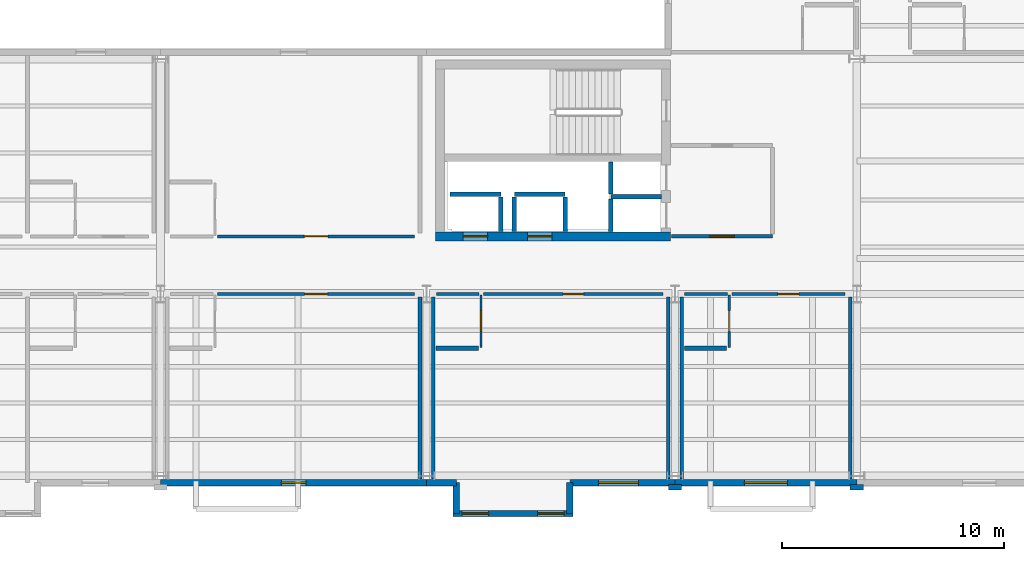
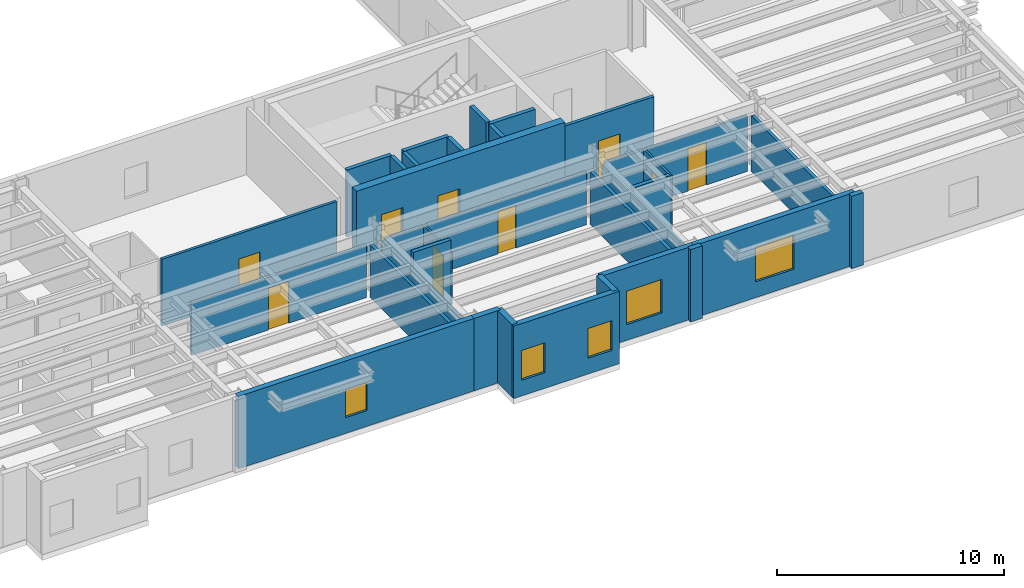
# One storey, part 47 of 59: 34 walls, 9 doors, 5 windows, 14 openings.
"""IFC4 building model written with IfcOpenShell, lengths in metres."""

from ifc_helpers import new_model, si_unit, direction, frame, frame_2d, origin, place, context, subcontext, project, spatial, rectangle, extrude, material, layer, layer_set, type_object, element, fill, save


model = new_model("IFC4")

# Units and contexts
model_context = context("Model", 3, precision=1e-05, world=origin(), true_north=direction((0.0, 1.0)))
body_context = subcontext(model_context, "Body", "Model", "MODEL_VIEW")
ifc_project = project(units=[si_unit("LENGTHUNIT", "METRE"), si_unit("AREAUNIT", "SQUARE_METRE"), si_unit("VOLUMEUNIT", "CUBIC_METRE"), si_unit("PLANEANGLEUNIT", "RADIAN"), si_unit("MASSUNIT", "GRAM", prefix="KILO")], contexts=[model_context])

# Site, building, storey
site_placement = place(None, origin())
site = spatial("IfcSite", under=ifc_project, at=site_placement, CompositionType="ELEMENT")
building_placement = place(site_placement, origin())
building = spatial("IfcBuilding", under=site, at=building_placement, Name="Sollismere Congress Hotel", CompositionType="ELEMENT")
storey_placement = place(building_placement, frame((0.0, 0.0, 15.60009765625)))
storey = spatial("IfcBuildingStorey", under=building, at=storey_placement, Name="L03", CompositionType="ELEMENT", Elevation=15.60009765625)

# Wall, opening, window
ifc_material_1 = material(Name="Colorado Buff Sandstone Rainscreen on Insulated Backup", Category="masonry")
ifc_layer_1 = layer(ifc_material_1, 0.284912109375, Name="Colorado Buff Sandstone Rainscreen on Insulated Backup")
ifc_layer_set_1 = layer_set([ifc_layer_1], Name="Colorado Buff Sandstone Rainscreen on Insulated Backup")
wall_type_1 = type_object("IfcWallType", Name="WL-EXT285", PredefinedType="STANDARD", material=ifc_layer_set_1)
wall_1_placement = place(storey_placement, frame((124.0, -0.31005859375, 0.0), z_axis=(0.0, 0.0, 1.0), x_axis=(1.0, 0.0, 0.0)))
wall_1 = element("IfcWall", 1, at=wall_1_placement, inside=storey, type_object=wall_type_1, Name="Exterior wall EW-L03-422", PredefinedType="STANDARD", context=body_context, shape_type="SweptSolid", body=[
    extrude(rectangle(XDim=12.0, YDim=0.284912109375, at=frame_2d((6.0, 0.0))), origin(), (0.0, 0.0, 1.0), 3.89990234375),
])
opening_1_placement = place(wall_1_placement, frame((5.449951171875, 0.0, 0.85009765625)))
opening_1 = element("IfcOpeningElement", 2, at=opening_1_placement, cuts=wall_1, Name="Opening W-L03-331", PredefinedType="OPENING", context=body_context, shape_type="SweptSolid", body=[
    extrude(rectangle(XDim=1.10009765625, YDim=1.5, at=frame_2d((0.550048828125, 0.75))), frame((0.0, 0.15234375, 0.0), z_axis=(0.0, -1.0, 0.0), x_axis=(1.0, 0.0, 0.0)), (0.0, 0.0, 1.0), 0.304931640625),
])
ifc_material_2 = material(Name="Thermally Broken Bronze Aluminum & Low-E Glass", Category="aluminium")
window_type_1 = type_object("IfcWindowType", Name="WN-P110x150", PartitioningType="SINGLE_PANEL", PredefinedType="WINDOW", material=ifc_material_2)
window_1_placement = place(opening_1_placement, origin())
window_1 = element("IfcWindow", 3, at=window_1_placement, inside=storey, type_object=window_type_1, Name="WIN-W-L03-331", OverallHeight=1.5, OverallWidth=1.10009765625, PartitioningType="SINGLE_PANEL", PredefinedType="WINDOW", context=body_context, shape_type="SweptSolid", body=[
    extrude(rectangle(XDim=1.10009765625, YDim=1.5, at=frame_2d((0.550048828125, 0.75))), frame((0.0, 0.030029296875, 0.0), z_axis=(0.0, -1.0, 0.0), x_axis=(1.0, 0.0, 0.0)), (0.0, 0.0, 1.0), 0.06005859375),
])
fill(opening_1, window_1)

# Wall
wall_2_placement = place(storey_placement, frame((136.0, -0.31005859375, 0.0), z_axis=(0.0, 0.0, 1.0), x_axis=(1.0, 0.0, 0.0)))
element("IfcWall", 4, at=wall_2_placement, inside=storey, type_object=wall_type_1, Name="Exterior wall EW-L03-424", PredefinedType="STANDARD", context=body_context, shape_type="SweptSolid", body=[
    extrude(rectangle(XDim=1.340087890625, YDim=0.284912109375, at=frame_2d((0.669921875, 0.0))), origin(), (0.0, 0.0, 1.0), 3.89990234375),
])

# Wall, opening, window
wall_3_placement = place(storey_placement, frame((142.4599609375, -0.31005859375, 0.0), z_axis=(0.0, 0.0, 1.0), x_axis=(1.0, 0.0, 0.0)))
wall_3 = element("IfcWall", 5, at=wall_3_placement, inside=storey, type_object=wall_type_1, Name="Exterior wall EW-L03-425", PredefinedType="STANDARD", context=body_context, shape_type="SweptSolid", body=[
    extrude(rectangle(XDim=4.739990234375, YDim=0.284912109375, at=frame_2d((2.3701171875, 0.0))), origin(), (0.0, 0.0, 1.0), 3.89990234375),
])
opening_2_placement = place(wall_3_placement, frame((1.294921875, 0.0, 0.85009765625)))
opening_2 = element("IfcOpeningElement", 6, at=opening_2_placement, cuts=wall_3, Name="Opening W-L03-332", PredefinedType="OPENING", context=body_context, shape_type="SweptSolid", body=[
    extrude(rectangle(XDim=1.800048828125, YDim=1.800048828125, at=frame_2d((0.89990234375, 0.89990234375))), frame((0.0, 0.15234375, 0.0), z_axis=(0.0, -1.0, 0.0), x_axis=(1.0, 0.0, 0.0)), (0.0, 0.0, 1.0), 0.304931640625),
])
window_type_2 = type_object("IfcWindowType", Name="WN-P180x180", PartitioningType="SINGLE_PANEL", PredefinedType="WINDOW", material=ifc_material_2)
window_2_placement = place(opening_2_placement, origin())
window_2 = element("IfcWindow", 7, at=window_2_placement, inside=storey, type_object=window_type_2, Name="WIN-W-L03-332", OverallHeight=1.800048828125, OverallWidth=1.800048828125, PartitioningType="SINGLE_PANEL", PredefinedType="WINDOW", context=body_context, shape_type="SweptSolid", body=[
    extrude(rectangle(XDim=1.800048828125, YDim=1.800048828125, at=frame_2d((0.89990234375, 0.89990234375))), frame((0.0, 0.030029296875, 0.0), z_axis=(0.0, -1.0, 0.0), x_axis=(1.0, 0.0, 0.0)), (0.0, 0.0, 1.0), 0.06005859375),
])
fill(opening_2, window_2)

# Wall, openings, windows
wall_4_placement = place(storey_placement, frame((137.199951171875, -1.699951171875, 0.0), z_axis=(0.0, 0.0, 1.0), x_axis=(1.0, 0.0, 0.0)))
wall_4 = element("IfcWall", 8, at=wall_4_placement, inside=storey, type_object=wall_type_1, Name="Exterior wall EW-L03-426", PredefinedType="STANDARD", context=body_context, shape_type="SweptSolid", body=[
    extrude(rectangle(XDim=5.400146484375, YDim=0.284912109375, at=frame_2d((2.7001953125, 0.0))), origin(), (0.0, 0.0, 1.0), 3.89990234375),
])
opening_3_placement = place(wall_4_placement, frame((0.39990234375, 0.0, 0.85009765625)))
opening_3 = element("IfcOpeningElement", 9, at=opening_3_placement, cuts=wall_4, Name="Opening W-L03-333", PredefinedType="OPENING", context=body_context, shape_type="SweptSolid", body=[
    extrude(rectangle(XDim=1.199951171875, YDim=1.60009765625, at=frame_2d((0.60009765625, 0.800048828125))), frame((0.0, 0.15234375, 0.0), z_axis=(0.0, -1.0, 0.0), x_axis=(1.0, 0.0, 0.0)), (0.0, 0.0, 1.0), 0.304931640625),
])
opening_4_placement = place(wall_4_placement, frame((3.800048828125, 0.0, 0.85009765625)))
opening_4 = element("IfcOpeningElement", 10, at=opening_4_placement, cuts=wall_4, Name="Opening W-L03-334", PredefinedType="OPENING", context=body_context, shape_type="SweptSolid", body=[
    extrude(rectangle(XDim=1.199951171875, YDim=1.60009765625, at=frame_2d((0.60009765625, 0.800048828125))), frame((0.0, 0.15234375, 0.0), z_axis=(0.0, -1.0, 0.0), x_axis=(1.0, 0.0, 0.0)), (0.0, 0.0, 1.0), 0.304931640625),
])
window_type_3 = type_object("IfcWindowType", Name="WN-P120x160", PartitioningType="SINGLE_PANEL", PredefinedType="WINDOW", material=ifc_material_2)
window_3_placement = place(opening_3_placement, origin())
window_3 = element("IfcWindow", 11, at=window_3_placement, inside=storey, type_object=window_type_3, Name="WIN-W-L03-333", OverallHeight=1.60009765625, OverallWidth=1.199951171875, PartitioningType="SINGLE_PANEL", PredefinedType="WINDOW", context=body_context, shape_type="SweptSolid", body=[
    extrude(rectangle(XDim=1.199951171875, YDim=1.60009765625, at=frame_2d((0.60009765625, 0.800048828125))), frame((0.0, 0.030029296875, 0.0), z_axis=(0.0, -1.0, 0.0), x_axis=(1.0, 0.0, 0.0)), (0.0, 0.0, 1.0), 0.06005859375),
])
fill(opening_3, window_3)
window_4_placement = place(opening_4_placement, origin())
window_4 = element("IfcWindow", 12, at=window_4_placement, inside=storey, type_object=window_type_3, Name="WIN-W-L03-334", OverallHeight=1.60009765625, OverallWidth=1.199951171875, PartitioningType="SINGLE_PANEL", PredefinedType="WINDOW", context=body_context, shape_type="SweptSolid", body=[
    extrude(rectangle(XDim=1.199951171875, YDim=1.60009765625, at=frame_2d((0.60009765625, 0.800048828125))), frame((0.0, 0.030029296875, 0.0), z_axis=(0.0, -1.0, 0.0), x_axis=(1.0, 0.0, 0.0)), (0.0, 0.0, 1.0), 0.06005859375),
])
fill(opening_4, window_4)

# Walls
for number, where, z_axis, x_axis, name in (
    (13, (137.340087890625, -0.31005859375, 0.0), (0.0, 0.0, 1.0), (0.0, -1.0, 0.0), "Exterior wall EW-L03-427"),
    (14, (142.4599609375, -1.699951171875, 0.0), (0.0, 0.0, 1.0), (0.0, 1.0, 0.0), "Exterior wall EW-L03-428"),
):
    element("IfcWall", number, at=place(storey_placement, frame(where, z_axis=z_axis, x_axis=x_axis)), inside=storey, type_object=wall_type_1, Name=name, PredefinedType="STANDARD", context=body_context, shape_type="SweptSolid", body=[
        extrude(rectangle(XDim=1.389892578125, YDim=0.284912109375, at=frame_2d((0.69482421875, 0.0))), origin(), (0.0, 0.0, 1.0), 3.89990234375),
    ])

# Wall, opening, window
wall_5_placement = place(storey_placement, frame((147.199951171875, -0.31005859375, 0.0), z_axis=(0.0, 0.0, 1.0), x_axis=(1.0, 0.0, 0.0)))
wall_5 = element("IfcWall", 15, at=wall_5_placement, inside=storey, type_object=wall_type_1, Name="Exterior wall EW-L03-429", PredefinedType="STANDARD", context=body_context, shape_type="SweptSolid", body=[
    extrude(rectangle(XDim=8.199951171875, YDim=0.284912109375, at=frame_2d((4.10009765625, 0.0))), origin(), (0.0, 0.0, 1.0), 3.89990234375),
])
opening_5_placement = place(wall_5_placement, frame((3.125, 0.0, 0.85009765625)))
opening_5 = element("IfcOpeningElement", 16, at=opening_5_placement, cuts=wall_5, Name="Opening W-L03-335", PredefinedType="OPENING", context=body_context, shape_type="SweptSolid", body=[
    extrude(rectangle(XDim=1.949951171875, YDim=1.85009765625, at=frame_2d((0.97509765625, 0.925048828125))), frame((0.0, 0.15234375, 0.0), z_axis=(0.0, -1.0, 0.0), x_axis=(1.0, 0.0, 0.0)), (0.0, 0.0, 1.0), 0.304931640625),
])
window_type_4 = type_object("IfcWindowType", Name="WN-P195x185", PartitioningType="SINGLE_PANEL", PredefinedType="WINDOW", material=ifc_material_2)
window_5_placement = place(opening_5_placement, origin())
window_5 = element("IfcWindow", 17, at=window_5_placement, inside=storey, type_object=window_type_4, Name="WIN-W-L03-335", OverallHeight=1.85009765625, OverallWidth=1.949951171875, PartitioningType="SINGLE_PANEL", PredefinedType="WINDOW", context=body_context, shape_type="SweptSolid", body=[
    extrude(rectangle(XDim=1.949951171875, YDim=1.85009765625, at=frame_2d((0.97509765625, 0.925048828125))), frame((0.0, 0.030029296875, 0.0), z_axis=(0.0, -1.0, 0.0), x_axis=(1.0, 0.0, 0.0)), (0.0, 0.0, 1.0), 0.06005859375),
])
fill(opening_5, window_5)

# Walls
ifc_material_3 = material(Name="Carved Travertine Pilaster & Frieze Assembly", Category="masonry")
ifc_layer_2 = layer(ifc_material_3, 0.260009765625, Name="Carved Travertine Pilaster & Frieze Assembly")
ifc_layer_set_2 = layer_set([ifc_layer_2], Name="Carved Travertine Pilaster & Frieze Assembly")
wall_type_2 = type_object("IfcWallType", Name="WL-PIL280", PredefinedType="ELEMENTEDWALL", material=ifc_layer_set_2)
wall_6_placement = place(storey_placement, frame((146.89990234375, -0.52001953125, 0.0), z_axis=(0.0, 0.0, 1.0), x_axis=(1.0, 0.0, 0.0)))
element("IfcWall", 18, at=wall_6_placement, inside=storey, type_object=wall_type_2, Name="Exterior wall EW-L03-430", PredefinedType="ELEMENTEDWALL", context=body_context, shape_type="SweptSolid", body=[
    extrude(rectangle(XDim=0.60009765625, YDim=0.260009765625, at=frame_2d((0.300048828125, 0.0))), origin(), (0.0, 0.0, 1.0), 3.89990234375),
])
wall_7_placement = place(storey_placement, frame((155.10009765625, -0.52001953125, 0.0), z_axis=(0.0, 0.0, 1.0), x_axis=(1.0, 0.0, 0.0)))
element("IfcWall", 19, at=wall_7_placement, inside=storey, type_object=wall_type_2, Name="Exterior wall EW-L03-432", PredefinedType="ELEMENTEDWALL", context=body_context, shape_type="SweptSolid", body=[
    extrude(rectangle(XDim=0.599853515625, YDim=0.260009765625, at=frame_2d((0.2998046875, 0.0))), origin(), (0.0, 0.0, 1.0), 3.89990234375),
])
ifc_material_4 = material(Name="Moisture-Resistant Shaft Gypsum Assembly")
ifc_layer_3 = layer(ifc_material_4, 0.199951171875, Name="Moisture-Resistant Shaft Gypsum Assembly")
ifc_layer_set_3 = layer_set([ifc_layer_3], Name="Moisture-Resistant Shaft Gypsum Assembly")
wall_type_3 = type_object("IfcWallType", Name="WL-PLM200", PredefinedType="PLUMBINGWALL", material=ifc_layer_set_3)
wall_8_placement = place(storey_placement, frame((137.054931640625, 12.68994140625, 0.0), z_axis=(0.0, 0.0, 1.0), x_axis=(1.0, 0.0, 0.0)))
element("IfcWall", 20, at=wall_8_placement, inside=storey, type_object=wall_type_3, Name="Interior wall IW-L03-0070", PredefinedType="PLUMBINGWALL", context=body_context, shape_type="SweptSolid", body=[
    extrude(rectangle(XDim=2.2900390625, YDim=0.199951171875, at=frame_2d((1.14501953125, 0.0))), origin(), (0.0, 0.0, 1.0), 3.599853515625),
])
wall_9_placement = place(storey_placement, frame((139.344970703125, 11.011962890625, 0.0), z_axis=(0.0, 0.0, 1.0), x_axis=(0.0, 1.0, 0.0)))
element("IfcWall", 21, at=wall_9_placement, inside=storey, type_object=wall_type_3, Name="Interior wall IW-L03-0071", PredefinedType="PLUMBINGWALL", context=body_context, shape_type="SweptSolid", body=[
    extrude(rectangle(XDim=1.56591796875, YDim=0.199951171875, at=frame_2d((0.782958984375, 0.0))), origin(), (0.0, 0.0, 1.0), 3.599853515625),
])
wall_10_placement = place(storey_placement, frame((139.955078125, 12.68994140625, 0.0), z_axis=(0.0, 0.0, 1.0), x_axis=(1.0, 0.0, 0.0)))
element("IfcWall", 22, at=wall_10_placement, inside=storey, type_object=wall_type_3, Name="Interior wall IW-L03-0072", PredefinedType="PLUMBINGWALL", context=body_context, shape_type="SweptSolid", body=[
    extrude(rectangle(XDim=2.2900390625, YDim=0.199951171875, at=frame_2d((1.14501953125, 0.0))), origin(), (0.0, 0.0, 1.0), 3.599853515625),
])
for number, where, z_axis, x_axis, name in (
    (23, (139.955078125, 11.011962890625, 0.0), (0.0, 0.0, 1.0), (0.0, 1.0, 0.0), "Interior wall IW-L03-0073"),
    (24, (142.2451171875, 11.011962890625, 0.0), (0.0, 0.0, 1.0), (0.0, 1.0, 0.0), "Interior wall IW-L03-0074"),
):
    element("IfcWall", number, at=place(storey_placement, frame(where, z_axis=z_axis, x_axis=x_axis)), inside=storey, type_object=wall_type_3, Name=name, PredefinedType="PLUMBINGWALL", context=body_context, shape_type="SweptSolid", body=[
        extrude(rectangle(XDim=1.56591796875, YDim=0.199951171875, at=frame_2d((0.782958984375, 0.0))), origin(), (0.0, 0.0, 1.0), 3.599853515625),
    ])
wall_11_placement = place(storey_placement, frame((144.31005859375, 12.594970703125, 0.0), z_axis=(0.0, 0.0, 1.0), x_axis=(1.0, 0.0, 0.0)))
element("IfcWall", 25, at=wall_11_placement, inside=storey, type_object=wall_type_3, Name="Interior wall IW-L03-0075", PredefinedType="PLUMBINGWALL", context=body_context, shape_type="SweptSolid", body=[
    extrude(rectangle(XDim=2.27783203125, YDim=0.199951171875, at=frame_2d((1.138916015625, 0.0))), origin(), (0.0, 0.0, 1.0), 3.599853515625),
])
wall_12_placement = place(storey_placement, frame((144.31005859375, 11.011962890625, 0.0), z_axis=(0.0, 0.0, 1.0), x_axis=(0.0, 1.0, 0.0)))
element("IfcWall", 26, at=wall_12_placement, inside=storey, type_object=wall_type_3, Name="Interior wall IW-L03-0076", PredefinedType="PLUMBINGWALL", context=body_context, shape_type="SweptSolid", body=[
    extrude(rectangle(XDim=1.470947265625, YDim=0.199951171875, at=frame_2d((0.7353515625, 0.0))), origin(), (0.0, 0.0, 1.0), 3.599853515625),
])
wall_13_placement = place(storey_placement, frame((144.31005859375, 12.70703125, 0.0), z_axis=(0.0, 0.0, 1.0), x_axis=(0.0, 1.0, 0.0)))
element("IfcWall", 27, at=wall_13_placement, inside=storey, type_object=wall_type_3, Name="Interior wall IW-L03-0077", PredefinedType="PLUMBINGWALL", context=body_context, shape_type="SweptSolid", body=[
    extrude(rectangle(XDim=1.4560546875, YDim=0.199951171875, at=frame_2d((0.72802734375, 0.0))), origin(), (0.0, 0.0, 1.0), 3.599853515625),
])
wall_14_placement = place(storey_placement, frame((136.419921875, 5.75, 0.0), z_axis=(0.0, 0.0, 1.0), x_axis=(1.0, 0.0, 0.0)))
element("IfcWall", 28, at=wall_14_placement, inside=storey, type_object=wall_type_3, Name="Interior wall IW-L03-1364", PredefinedType="PLUMBINGWALL", context=body_context, shape_type="SweptSolid", body=[
    extrude(rectangle(XDim=1.91015625, YDim=0.199951171875, at=frame_2d((0.955078125, 0.0))), origin(), (0.0, 0.0, 1.0), 3.599853515625),
])
wall_15_placement = place(storey_placement, frame((147.6201171875, 5.75, 0.0), z_axis=(0.0, 0.0, 1.0), x_axis=(1.0, 0.0, 0.0)))
element("IfcWall", 29, at=wall_15_placement, inside=storey, type_object=wall_type_3, Name="Interior wall IW-L03-1370", PredefinedType="PLUMBINGWALL", context=body_context, shape_type="SweptSolid", body=[
    extrude(rectangle(XDim=1.909912109375, YDim=0.199951171875, at=frame_2d((0.955078125, 0.0))), origin(), (0.0, 0.0, 1.0), 3.15283203125),
])

# Wall, opening, door
ifc_material_5 = material(Name="Moisture-Resistant Gypsum Partition")
ifc_layer_4 = layer(ifc_material_5, 0.10009765625, Name="Moisture-Resistant Gypsum Partition")
ifc_layer_set_4 = layer_set([ifc_layer_4], Name="Moisture-Resistant Gypsum Partition")
wall_type_4 = type_object("IfcWallType", Name="WL-PRT100", PredefinedType="PARTITIONING", material=ifc_layer_set_4)
wall_16_placement = place(storey_placement, frame((138.449951171875, 5.7900390625, 0.0), z_axis=(0.0, 0.0, 1.0), x_axis=(0.0, 1.0, 0.0)))
wall_16 = element("IfcWall", 30, at=wall_16_placement, inside=storey, type_object=wall_type_4, Name="Interior wall IW-L03-1363", PredefinedType="PARTITIONING", context=body_context, shape_type="SweptSolid", body=[
    extrude(rectangle(XDim=2.369873046875, YDim=0.10009765625, at=frame_2d((1.18505859375, 0.0))), origin(), (0.0, 0.0, 1.0), 2.837890625),
])
opening_6_placement = place(wall_16_placement, frame((0.719970703125, 0.0, 0.0)))
opening_6 = element("IfcOpeningElement", 31, at=opening_6_placement, cuts=wall_16, Name="Opening D-L03-0482", PredefinedType="OPENING", context=body_context, shape_type="SweptSolid", body=[
    extrude(rectangle(XDim=0.929931640625, YDim=2.219970703125, at=frame_2d((0.46484375, 1.10986328125))), frame((0.0, 0.06005859375, 0.0), z_axis=(0.0, -1.0, 0.0), x_axis=(1.0, 0.0, 0.0)), (0.0, 0.0, 1.0), 0.1201171875),
])
ifc_material_6 = material(Name="Moisture-Sealed Timber Bathroom Door", Category="wood")
door_type_1 = type_object("IfcDoorType", Name="DR-BT07", OperationType="NOTDEFINED", PredefinedType="DOOR", material=ifc_material_6)
door_1_placement = place(opening_6_placement, origin())
door_1 = element("IfcDoor", 32, at=door_1_placement, inside=storey, type_object=door_type_1, Name="En-suite bathroom door D-L03-0482", OperationType="SINGLE_SWING_LEFT", OverallHeight=2.219970703125, OverallWidth=0.929931640625, PredefinedType="DOOR", context=body_context, shape_type="SweptSolid", body=[
    extrude(rectangle(XDim=0.929931640625, YDim=2.219970703125, at=frame_2d((0.46484375, 1.10986328125))), frame((0.0, 0.02490234375, 0.0), z_axis=(0.0, -1.0, 0.0), x_axis=(1.0, 0.0, 0.0)), (0.0, 0.0, 1.0), 0.050048828125),
])
fill(opening_6, door_1)

wall_17_placement = place(storey_placement, frame((149.64990234375, 5.7900390625, 0.0), z_axis=(0.0, 0.0, 1.0), x_axis=(0.0, 1.0, 0.0)))
wall_17 = element("IfcWall", 33, at=wall_17_placement, inside=storey, type_object=wall_type_4, Name="Interior wall IW-L03-1369", PredefinedType="PARTITIONING", context=body_context, shape_type="SweptSolid", body=[
    extrude(rectangle(XDim=2.369873046875, YDim=0.10009765625, at=frame_2d((1.18505859375, 0.0))), origin(), (0.0, 0.0, 1.0), 3.012939453125),
])
opening_7_placement = place(wall_17_placement, frame((0.7080078125, 0.0, 0.0)))
opening_7 = element("IfcOpeningElement", 34, at=opening_7_placement, cuts=wall_17, Name="Opening D-L03-0484", PredefinedType="OPENING", context=body_context, shape_type="SweptSolid", body=[
    extrude(rectangle(XDim=0.955078125, YDim=2.219970703125, at=frame_2d((0.4775390625, 1.10986328125))), frame((0.0, 0.06005859375, 0.0), z_axis=(0.0, -1.0, 0.0), x_axis=(1.0, 0.0, 0.0)), (0.0, 0.0, 1.0), 0.1201171875),
])
door_type_2 = type_object("IfcDoorType", Name="DR-BT08", OperationType="NOTDEFINED", PredefinedType="DOOR", material=ifc_material_6)
door_2_placement = place(opening_7_placement, origin())
door_2 = element("IfcDoor", 35, at=door_2_placement, inside=storey, type_object=door_type_2, Name="En-suite bathroom door D-L03-0484", OperationType="SINGLE_SWING_LEFT", OverallHeight=2.219970703125, OverallWidth=0.955078125, PredefinedType="DOOR", context=body_context, shape_type="SweptSolid", body=[
    extrude(rectangle(XDim=0.955078125, YDim=2.219970703125, at=frame_2d((0.4775390625, 1.10986328125))), frame((0.0, 0.02490234375, 0.0), z_axis=(0.0, -1.0, 0.0), x_axis=(1.0, 0.0, 0.0)), (0.0, 0.0, 1.0), 0.050048828125),
])
fill(opening_7, door_2)

ifc_material_7 = material(Name="Fire-Rated Gypsum Partition")
ifc_layer_5 = layer(ifc_material_7, 0.139892578125, Name="Fire-Rated Gypsum Partition")
ifc_layer_set_5 = layer_set([ifc_layer_5], Name="Fire-Rated Gypsum Partition")
wall_type_5 = type_object("IfcWallType", Name="WL-PRT140R", PredefinedType="PARTITIONING", material=ifc_layer_set_5)
wall_18_placement = place(storey_placement, frame((126.570068359375, 8.199951171875, 0.0), z_axis=(0.0, 0.0, 1.0), x_axis=(1.0, 0.0, 0.0)))
wall_18 = element("IfcWall", 36, at=wall_18_placement, inside=storey, type_object=wall_type_5, Name="Interior wall IW-L03-1348", PredefinedType="PARTITIONING", context=body_context, shape_type="SweptSolid", body=[
    extrude(rectangle(XDim=8.889892578125, YDim=0.139892578125, at=frame_2d((4.44482421875, 0.0))), origin(), (0.0, 0.0, 1.0), 2.837890625),
])
opening_8_placement = place(wall_18_placement, frame((3.925048828125, 0.0, 0.0)))
opening_8 = element("IfcOpeningElement", 37, at=opening_8_placement, cuts=wall_18, Name="Opening D-L03-0477", PredefinedType="OPENING", context=body_context, shape_type="SweptSolid", body=[
    extrude(rectangle(XDim=1.0400390625, YDim=2.25, at=frame_2d((0.52001953125, 1.125))), frame((0.0, 0.079833984375, 0.0), z_axis=(0.0, -1.0, 0.0), x_axis=(1.0, 0.0, 0.0)), (0.0, 0.0, 1.0), 0.159912109375),
])
ifc_material_8 = material(Name="Solid-Core Acoustic Walnut Guestroom Entry Door")
door_type_3 = type_object("IfcDoorType", Name="DR-KY05", OperationType="NOTDEFINED", PredefinedType="DOOR", material=ifc_material_8)
door_3_placement = place(opening_8_placement, origin())
door_3 = element("IfcDoor", 38, at=door_3_placement, inside=storey, type_object=door_type_3, Name="Hotel room entry door D-L03-0477", OperationType="SINGLE_SWING_RIGHT", OverallHeight=2.25, OverallWidth=1.0400390625, PredefinedType="DOOR", context=body_context, shape_type="SweptSolid", body=[
    extrude(rectangle(XDim=1.0400390625, YDim=2.25, at=frame_2d((0.52001953125, 1.125))), frame((0.0, 0.02490234375, 0.0), z_axis=(0.0, -1.0, 0.0), x_axis=(1.0, 0.0, 0.0)), (0.0, 0.0, 1.0), 0.050048828125),
])
fill(opening_8, door_3)

wall_19_placement = place(storey_placement, frame((126.570068359375, 10.800048828125, 0.0), z_axis=(0.0, 0.0, 1.0), x_axis=(1.0, 0.0, 0.0)))
wall_19 = element("IfcWall", 39, at=wall_19_placement, inside=storey, type_object=wall_type_5, Name="Interior wall IW-L03-1354", PredefinedType="PARTITIONING", context=body_context, shape_type="SweptSolid", body=[
    extrude(rectangle(XDim=8.889892578125, YDim=0.139892578125, at=frame_2d((4.44482421875, 0.0))), origin(), (0.0, 0.0, 1.0), 3.599853515625),
])
opening_9_placement = place(wall_19_placement, frame((3.909912109375, 0.0, 0.0)))
opening_9 = element("IfcOpeningElement", 40, at=opening_9_placement, cuts=wall_19, Name="Opening D-L03-0479", PredefinedType="OPENING", context=body_context, shape_type="SweptSolid", body=[
    extrude(rectangle(XDim=1.070068359375, YDim=2.25, at=frame_2d((0.53515625, 1.125))), frame((0.0, 0.079833984375, 0.0), z_axis=(0.0, -1.0, 0.0), x_axis=(1.0, 0.0, 0.0)), (0.0, 0.0, 1.0), 0.159912109375),
])
door_type_4 = type_object("IfcDoorType", Name="DR-KY06", OperationType="NOTDEFINED", PredefinedType="DOOR", material=ifc_material_8)
door_4_placement = place(opening_9_placement, origin())
door_4 = element("IfcDoor", 41, at=door_4_placement, inside=storey, type_object=door_type_4, Name="Hotel room entry door D-L03-0479", OperationType="SINGLE_SWING_RIGHT", OverallHeight=2.25, OverallWidth=1.070068359375, PredefinedType="DOOR", context=body_context, shape_type="SweptSolid", body=[
    extrude(rectangle(XDim=1.070068359375, YDim=2.25, at=frame_2d((0.53515625, 1.125))), frame((0.0, 0.02490234375, 0.0), z_axis=(0.0, -1.0, 0.0), x_axis=(1.0, 0.0, 0.0)), (0.0, 0.0, 1.0), 0.050048828125),
])
fill(opening_9, door_4)

# Wall
wall_20_placement = place(storey_placement, frame((136.43994140625, 8.199951171875, 0.0), z_axis=(0.0, 0.0, 1.0), x_axis=(1.0, 0.0, 0.0)))
element("IfcWall", 42, at=wall_20_placement, inside=storey, type_object=wall_type_5, Name="Interior wall IW-L03-1359", PredefinedType="PARTITIONING", context=body_context, shape_type="SweptSolid", body=[
    extrude(rectangle(XDim=1.93017578125, YDim=0.139892578125, at=frame_2d((0.965087890625, 0.0))), origin(), (0.0, 0.0, 1.0), 2.837890625),
])

# Wall, opening, door
wall_21_placement = place(storey_placement, frame((138.570068359375, 8.199951171875, 0.0), z_axis=(0.0, 0.0, 1.0), x_axis=(1.0, 0.0, 0.0)))
wall_21 = element("IfcWall", 43, at=wall_21_placement, inside=storey, type_object=wall_type_5, Name="Interior wall IW-L03-1360", PredefinedType="PARTITIONING", context=body_context, shape_type="SweptSolid", body=[
    extrude(rectangle(XDim=8.08984375, YDim=0.139892578125, at=frame_2d((4.044921875, 0.0))), origin(), (0.0, 0.0, 1.0), 2.837890625),
])
opening_10_placement = place(wall_21_placement, frame((3.5849609375, 0.0, 0.0)))
opening_10 = element("IfcOpeningElement", 44, at=opening_10_placement, cuts=wall_21, Name="Opening D-L03-0481", PredefinedType="OPENING", context=body_context, shape_type="SweptSolid", body=[
    extrude(rectangle(XDim=0.919921875, YDim=2.300048828125, at=frame_2d((0.4599609375, 1.14990234375))), frame((0.0, 0.079833984375, 0.0), z_axis=(0.0, -1.0, 0.0), x_axis=(1.0, 0.0, 0.0)), (0.0, 0.0, 1.0), 0.159912109375),
])
door_type_5 = type_object("IfcDoorType", Name="DR-KY07", OperationType="NOTDEFINED", PredefinedType="DOOR", material=ifc_material_8)
door_5_placement = place(opening_10_placement, origin())
door_5 = element("IfcDoor", 45, at=door_5_placement, inside=storey, type_object=door_type_5, Name="Hotel room entry door D-L03-0481", OperationType="SINGLE_SWING_RIGHT", OverallHeight=2.300048828125, OverallWidth=0.919921875, PredefinedType="DOOR", context=body_context, shape_type="SweptSolid", body=[
    extrude(rectangle(XDim=0.919921875, YDim=2.300048828125, at=frame_2d((0.4599609375, 1.14990234375))), frame((0.0, 0.02490234375, 0.0), z_axis=(0.0, -1.0, 0.0), x_axis=(1.0, 0.0, 0.0)), (0.0, 0.0, 1.0), 0.050048828125),
])
fill(opening_10, door_5)

# Wall
wall_22_placement = place(storey_placement, frame((147.639892578125, 8.199951171875, 0.0), z_axis=(0.0, 0.0, 1.0), x_axis=(1.0, 0.0, 0.0)))
element("IfcWall", 46, at=wall_22_placement, inside=storey, type_object=wall_type_5, Name="Interior wall IW-L03-1365", PredefinedType="PARTITIONING", context=body_context, shape_type="SweptSolid", body=[
    extrude(rectangle(XDim=1.93017578125, YDim=0.139892578125, at=frame_2d((0.965087890625, 0.0))), origin(), (0.0, 0.0, 1.0), 3.012939453125),
])

# Wall, opening, door
wall_23_placement = place(storey_placement, frame((149.77001953125, 8.199951171875, 0.0), z_axis=(0.0, 0.0, 1.0), x_axis=(1.0, 0.0, 0.0)))
wall_23 = element("IfcWall", 47, at=wall_23_placement, inside=storey, type_object=wall_type_5, Name="Interior wall IW-L03-1366", PredefinedType="PARTITIONING", context=body_context, shape_type="SweptSolid", body=[
    extrude(rectangle(XDim=5.090087890625, YDim=0.139892578125, at=frame_2d((2.544921875, 0.0))), origin(), (0.0, 0.0, 1.0), 3.012939453125),
])
opening_11_placement = place(wall_23_placement, frame((2.070068359375, 0.0, 0.0)))
opening_11 = element("IfcOpeningElement", 48, at=opening_11_placement, cuts=wall_23, Name="Opening D-L03-0483", PredefinedType="OPENING", context=body_context, shape_type="SweptSolid", body=[
    extrude(rectangle(XDim=0.949951171875, YDim=2.300048828125, at=frame_2d((0.47509765625, 1.14990234375))), frame((0.0, 0.079833984375, 0.0), z_axis=(0.0, -1.0, 0.0), x_axis=(1.0, 0.0, 0.0)), (0.0, 0.0, 1.0), 0.159912109375),
])
door_type_6 = type_object("IfcDoorType", Name="DR-KY08", OperationType="NOTDEFINED", PredefinedType="DOOR", material=ifc_material_8)
door_6_placement = place(opening_11_placement, origin())
door_6 = element("IfcDoor", 49, at=door_6_placement, inside=storey, type_object=door_type_6, Name="Hotel room entry door D-L03-0483", OperationType="SINGLE_SWING_RIGHT", OverallHeight=2.300048828125, OverallWidth=0.949951171875, PredefinedType="DOOR", context=body_context, shape_type="SweptSolid", body=[
    extrude(rectangle(XDim=0.949951171875, YDim=2.300048828125, at=frame_2d((0.47509765625, 1.14990234375))), frame((0.0, 0.02490234375, 0.0), z_axis=(0.0, -1.0, 0.0), x_axis=(1.0, 0.0, 0.0)), (0.0, 0.0, 1.0), 0.050048828125),
])
fill(opening_11, door_6)

ifc_material_9 = material(Name="Fire-Rated Acoustic Gypsum Partition")
ifc_layer_6 = layer(ifc_material_9, 0.1650390625, Name="Fire-Rated Acoustic Gypsum Partition")
ifc_layer_set_6 = layer_set([ifc_layer_6], Name="Fire-Rated Acoustic Gypsum Partition")
wall_type_6 = type_object("IfcWallType", Name="WL-PRT165R", PredefinedType="PARTITIONING", material=ifc_layer_set_6)
wall_24_placement = place(storey_placement, frame((147.050048828125, 10.800048828125, 0.0), z_axis=(0.0, 0.0, 1.0), x_axis=(1.0, 0.0, 0.0)))
wall_24 = element("IfcWall", 50, at=wall_24_placement, inside=storey, type_object=wall_type_6, Name="Interior wall IW-L03-0078", PredefinedType="PARTITIONING", context=body_context, shape_type="SweptSolid", body=[
    extrude(rectangle(XDim=4.550048828125, YDim=0.1650390625, at=frame_2d((2.27490234375, 0.0))), origin(), (0.0, 0.0, 1.0), 3.599853515625),
])
opening_12_placement = place(wall_24_placement, frame((1.72509765625, 0.0, 0.0)))
opening_12 = element("IfcOpeningElement", 51, at=opening_12_placement, cuts=wall_24, Name="Opening D-FFL-L03", PredefinedType="OPENING", context=body_context, shape_type="SweptSolid", body=[
    extrude(rectangle(XDim=1.10009765625, YDim=2.199951171875, at=frame_2d((0.550048828125, 1.10009765625))), frame((0.0, 0.092529296875, 0.0), z_axis=(0.0, -1.0, 0.0), x_axis=(1.0, 0.0, 0.0)), (0.0, 0.0, 1.0), 0.18505859375),
])
ifc_material_10 = material(Name="Smoke-Barrier Rated Timber-Clad Steel Door", Category="steel")
door_type_7 = type_object("IfcDoorType", Name="DR-FFL110", OperationType="NOTDEFINED", PredefinedType="DOOR", material=ifc_material_10)
door_7_placement = place(opening_12_placement, origin())
door_7 = element("IfcDoor", 52, at=door_7_placement, inside=storey, type_object=door_type_7, Name="Firefighting lobby smoke door D-FFL-L03", OperationType="SINGLE_SWING_RIGHT", OverallHeight=2.199951171875, OverallWidth=1.10009765625, PredefinedType="DOOR", context=body_context, shape_type="SweptSolid", body=[
    extrude(rectangle(XDim=1.10009765625, YDim=2.199951171875, at=frame_2d((0.550048828125, 1.10009765625))), frame((0.0, 0.02490234375, 0.0), z_axis=(0.0, -1.0, 0.0), x_axis=(1.0, 0.0, 0.0)), (0.0, 0.0, 1.0), 0.050048828125),
])
fill(opening_12, door_7)

# Walls
for number, where, z_axis, x_axis, name in (
    (53, (135.699951171875, -0.152587890625, 0.0), (0.0, 0.0, 1.0), (0.0, 1.0, 0.0), "Interior wall IW-L03-1350"),
    (54, (136.300048828125, -0.152587890625, 0.0), (0.0, 0.0, 1.0), (0.0, 1.0, 0.0), "Interior wall IW-L03-1361"),
    (55, (146.89990234375, -0.152587890625, 0.0), (0.0, 0.0, 1.0), (0.0, 1.0, 0.0), "Interior wall IW-L03-1362"),
):
    element("IfcWall", number, at=place(storey_placement, frame(where, z_axis=z_axis, x_axis=x_axis)), inside=storey, type_object=wall_type_6, Name=name, PredefinedType="PARTITIONING", context=body_context, shape_type="SweptSolid", body=[
        extrude(rectangle(XDim=8.212646484375, YDim=0.1650390625, at=frame_2d((4.1064453125, 0.0))), origin(), (0.0, 0.0, 1.0), 2.837890625),
    ])
for number, where, z_axis, x_axis, name in (
    (56, (147.5, -0.152587890625, 0.0), (0.0, 0.0, 1.0), (0.0, 1.0, 0.0), "Interior wall IW-L03-1367"),
    (57, (155.10009765625, -0.152587890625, 0.0), (0.0, 0.0, 1.0), (0.0, 1.0, 0.0), "Interior wall IW-L03-1368"),
):
    element("IfcWall", number, at=place(storey_placement, frame(where, z_axis=z_axis, x_axis=x_axis)), inside=storey, type_object=wall_type_6, Name=name, PredefinedType="PARTITIONING", context=body_context, shape_type="SweptSolid", body=[
        extrude(rectangle(XDim=8.212646484375, YDim=0.1650390625, at=frame_2d((4.1064453125, 0.0))), origin(), (0.0, 0.0, 1.0), 2.989990234375),
    ])

# Wall, openings, doors
ifc_material_11 = material(Name="Concrete C50/60", Category="concrete")
ifc_layer_7 = layer(ifc_material_11, 0.39990234375, Name="Concrete C50/60")
ifc_layer_set_7 = layer_set([ifc_layer_7], Name="Concrete C50/60")
wall_type_7 = type_object("IfcWallType", Name="WL-SHR400", PredefinedType="SHEAR", material=ifc_layer_set_7)
wall_25_placement = place(storey_placement, frame((136.39990234375, 10.800048828125, 0.0), z_axis=(0.0, 0.0, 1.0), x_axis=(1.0, 0.0, 0.0)))
wall_25 = element("IfcWall", 58, at=wall_25_placement, inside=storey, type_object=wall_type_7, Name="Interior wall IW-L03-0065", PredefinedType="SHEAR", context=body_context, shape_type="SweptSolid", body=[
    extrude(rectangle(XDim=10.60009765625, YDim=0.39990234375, at=frame_2d((5.300048828125, 0.0))), origin(), (0.0, 0.0, 1.0), 3.89990234375),
])
opening_13_placement = place(wall_25_placement, frame((1.25, 0.0, 0.0)))
opening_13 = element("IfcOpeningElement", 59, at=opening_13_placement, cuts=wall_25, Name="Opening LD-LP-01-L03", PredefinedType="OPENING", context=body_context, shape_type="SweptSolid", body=[
    extrude(rectangle(XDim=1.10009765625, YDim=2.199951171875, at=frame_2d((0.550048828125, 1.10009765625))), frame((0.0, 0.2099609375, 0.0), z_axis=(0.0, -1.0, 0.0), x_axis=(1.0, 0.0, 0.0)), (0.0, 0.0, 1.0), 0.419921875),
])
opening_14_placement = place(wall_25_placement, frame((4.14990234375, 0.0, 0.0)))
opening_14 = element("IfcOpeningElement", 60, at=opening_14_placement, cuts=wall_25, Name="Opening LD-LP-02-L03", PredefinedType="OPENING", context=body_context, shape_type="SweptSolid", body=[
    extrude(rectangle(XDim=1.10009765625, YDim=2.199951171875, at=frame_2d((0.550048828125, 1.10009765625))), frame((0.0, 0.2099609375, 0.0), z_axis=(0.0, -1.0, 0.0), x_axis=(1.0, 0.0, 0.0)), (0.0, 0.0, 1.0), 0.419921875),
])
ifc_material_12 = material(Name="Brushed Bronze Sliding Elevator Landing Door")
door_type_8 = type_object("IfcDoorType", Name="DR-LD110", OperationType="NOTDEFINED", PredefinedType="DOOR", material=ifc_material_12)
door_8_placement = place(opening_13_placement, origin())
door_8 = element("IfcDoor", 61, at=door_8_placement, inside=storey, type_object=door_type_8, Name="Elevator landing door LD-LP-01-L03", OperationType="SLIDING_TO_LEFT", OverallHeight=2.199951171875, OverallWidth=1.10009765625, PredefinedType="DOOR", context=body_context, shape_type="SweptSolid", body=[
    extrude(rectangle(XDim=1.10009765625, YDim=2.199951171875, at=frame_2d((0.550048828125, 1.10009765625))), frame((0.0, 0.02490234375, 0.0), z_axis=(0.0, -1.0, 0.0), x_axis=(1.0, 0.0, 0.0)), (0.0, 0.0, 1.0), 0.050048828125),
])
fill(opening_13, door_8)
door_9_placement = place(opening_14_placement, origin())
door_9 = element("IfcDoor", 62, at=door_9_placement, inside=storey, type_object=door_type_8, Name="Elevator landing door LD-LP-02-L03", OperationType="SLIDING_TO_RIGHT", OverallHeight=2.199951171875, OverallWidth=1.10009765625, PredefinedType="DOOR", context=body_context, shape_type="SweptSolid", body=[
    extrude(rectangle(XDim=1.10009765625, YDim=2.199951171875, at=frame_2d((0.550048828125, 1.10009765625))), frame((0.0, 0.02490234375, 0.0), z_axis=(0.0, -1.0, 0.0), x_axis=(1.0, 0.0, 0.0)), (0.0, 0.0, 1.0), 0.050048828125),
])
fill(opening_14, door_9)

save(model, "model.ifc")
